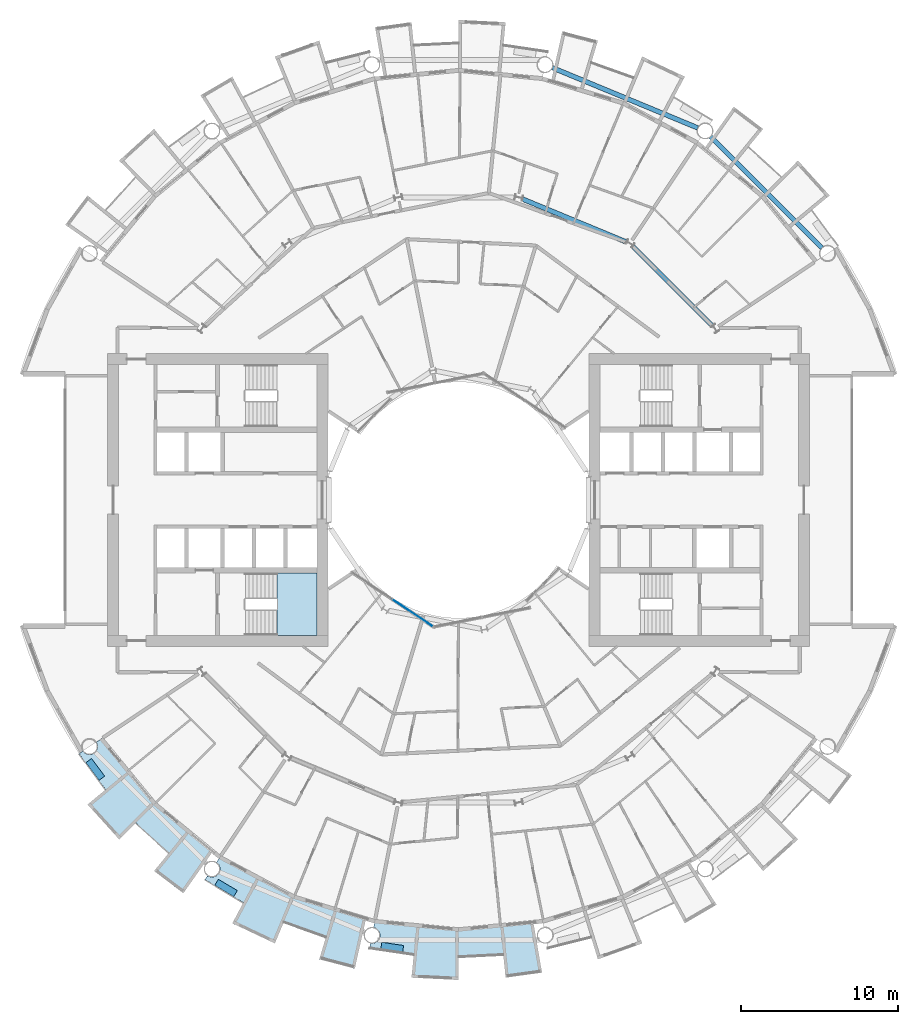
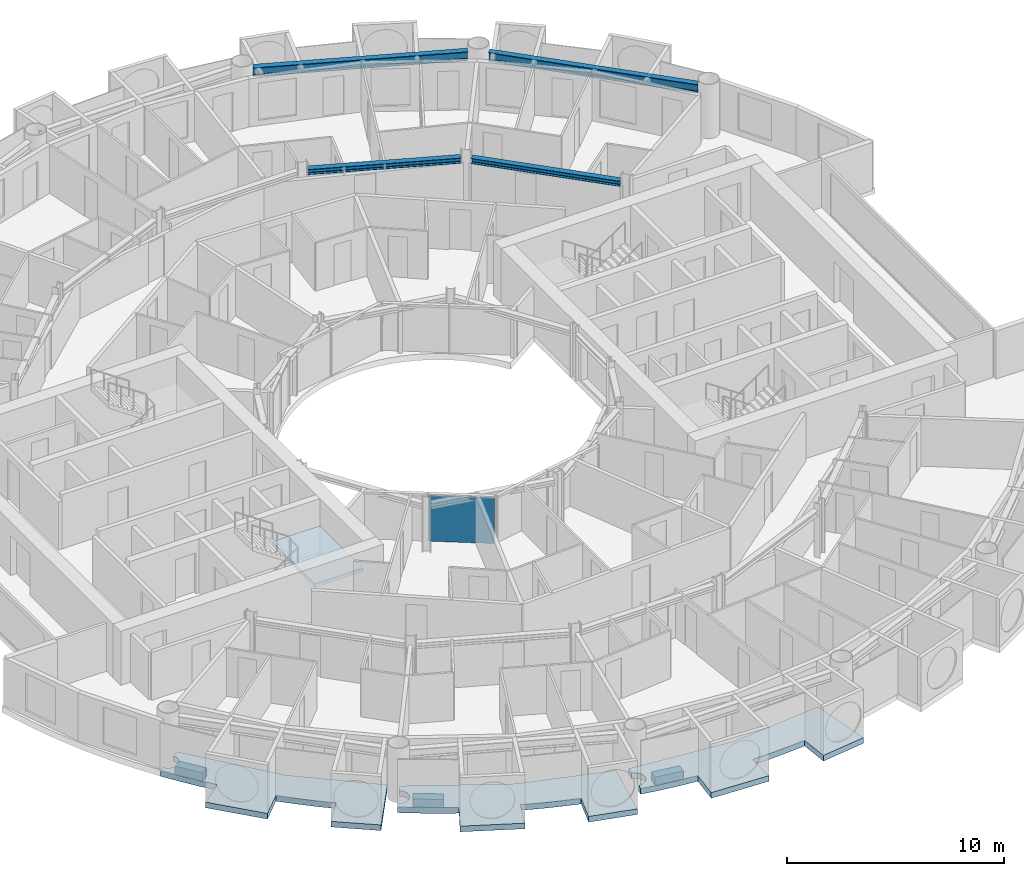
# One storey, part 9 of 26: 7 slabs, 4 beams, 1 plate, 2 elements without a shape of their own.
"""IFC4 building model written with IfcOpenShell, lengths in metres."""

from ifc_helpers import new_model, si_unit, direction, frame, origin, origin_2d, place, context, subcontext, project, spatial, polyline, rectangle, i_section, outline, extrude, material, layer, layer_set, material_profile, profile_set, type_object, element, aggregate, save


model = new_model("IFC4")

# Units and contexts
model_context = context("Model", 3, precision=1e-05, world=origin(), true_north=direction((0.0, 1.0)))
body_context = subcontext(model_context, "Body", "Model", "MODEL_VIEW")
ifc_project = project(units=[si_unit("LENGTHUNIT", "METRE"), si_unit("AREAUNIT", "SQUARE_METRE"), si_unit("VOLUMEUNIT", "CUBIC_METRE"), si_unit("PLANEANGLEUNIT", "RADIAN"), si_unit("MASSUNIT", "GRAM", prefix="KILO")], contexts=[model_context])

# Site, building, storey
site_placement = place(None, origin())
site = spatial("IfcSite", under=ifc_project, at=site_placement, CompositionType="ELEMENT")
building_placement = place(site_placement, origin())
building = spatial("IfcBuilding", under=site, at=building_placement, Name="Maasbend Ring Residences", CompositionType="ELEMENT")
storey_placement = place(building_placement, frame((0.0, 0.0, 66.64990234375)))
storey = spatial("IfcBuildingStorey", under=building, at=storey_placement, Name="L18", CompositionType="ELEMENT", Elevation=66.64990234375)

# Beams
ifc_material_1 = material(Name="Steel S355J2", Category="steel")
ifc_material_profile_1 = material_profile(ifc_material_1, i_section(OverallWidth=0.300048828125, OverallDepth=0.300048828125, WebThickness=0.010986328125, FlangeThickness=0.01904296875, FilletRadius=0.027099609375, at=origin_2d()), Name="HEB 300")
ifc_profile_set_1 = profile_set([ifc_material_profile_1], Name="Steel S355J2")
beam_type_1 = type_object("IfcBeamType", Name="Corridor ring beam HEB 300", PredefinedType="BEAM", material=ifc_profile_set_1)
for number, where, z_axis, x_axis, name in (
    (1, (16.10791015625, 11.078125, 2.550048828125), (-0.707106781187, 0.707106781187, 0.0), (-0.707106781187, -0.707106781187, 0.0), "Corridor ring beam"),
    (2, (10.642333984375, 16.39892578125, 2.550048828125), (-0.923877113721, 0.382689271788, 0.0), (-0.382689271788, -0.923877113721, 0.0), "Corridor ring beam"),
):
    element("IfcBeam", number, at=place(storey_placement, frame(where, z_axis=z_axis, x_axis=x_axis)), inside=storey, type_object=beam_type_1, Name=name, PredefinedType="BEAM", context=body_context, shape_type="SweptSolid", body=[
        extrude(i_section(OverallWidth=0.300048828125, OverallDepth=0.300048828125, WebThickness=0.010986328125, FlangeThickness=0.01904296875, FilletRadius=0.027099609375, at=origin_2d()), origin(), (0.0, 0.0, 1.0), 7.11328125),
    ])
ifc_material_2 = material(Name="Steel S355J2", Category="steel")
ifc_material_profile_2 = material_profile(ifc_material_2, i_section(OverallWidth=0.300048828125, OverallDepth=0.5, WebThickness=0.014404296875, FlangeThickness=0.028076171875, FilletRadius=0.027099609375, at=origin_2d()), Name="HEB 500")
ifc_profile_set_2 = profile_set([ifc_material_profile_2], Name="Steel S355J2")
beam_type_2 = type_object("IfcBeamType", Name="Spandrel ring beam HEB 500", PredefinedType="SPANDREL", material=ifc_profile_set_2)
beam_1_placement = place(storey_placement, frame((23.088134765625, 16.0263671875, 2.4501953125), z_axis=(-0.707106781187, 0.707106781187, 0.0), x_axis=(-0.707106781187, -0.707106781187, 0.0)))
element("IfcBeam", 3, at=beam_1_placement, inside=storey, type_object=beam_type_2, Name="Spandrel ring beam", PredefinedType="SPANDREL", context=body_context, shape_type="SweptSolid", body=[
    extrude(i_section(OverallWidth=0.300048828125, OverallDepth=0.5, WebThickness=0.014404296875, FlangeThickness=0.028076171875, FilletRadius=0.027099609375, at=origin_2d()), origin(), (0.0, 0.0, 1.0), 9.98681640625),
])
beam_2_placement = place(storey_placement, frame((15.19775390625, 23.641845703125, 2.4501953125), z_axis=(-0.923886337442, 0.382667003395, 0.0), x_axis=(-0.382667003395, -0.923886337442, 0.0)))
element("IfcBeam", 4, at=beam_2_placement, inside=storey, type_object=beam_type_2, Name="Spandrel ring beam", PredefinedType="SPANDREL", context=body_context, shape_type="SweptSolid", body=[
    extrude(i_section(OverallWidth=0.300048828125, OverallDepth=0.5, WebThickness=0.014404296875, FlangeThickness=0.028076171875, FilletRadius=0.027099609375, at=origin_2d()), origin(), (0.0, 0.0, 1.0), 9.9873046875),
])

# Stair, slab
ifc_material_3 = material(Name="Concrete C40/50", Category="concrete")
stair_type = type_object("IfcStairType", Name="CORE STAIR 18 RISERS", PredefinedType="HALF_TURN_STAIR", material=ifc_material_3)
stair_placement = place(storey_placement, origin())
stair = element("IfcStair", 5, at=stair_placement, inside=storey, type_object=stair_type, Name="L18 Exit stair ST-W1", PredefinedType="HALF_TURN_STAIR")
ifc_material_4 = material(Name="Concrete C40/50", Category="concrete")
ifc_layer_1 = layer(ifc_material_4, 0.199951171875)
ifc_layer_set_1 = layer_set([ifc_layer_1], Name="Concrete C40/50")
slab_type_1 = type_object("IfcSlabType", Name="CORE STAIR LANDING 200", PredefinedType="LANDING", material=ifc_layer_set_1)
slab_1_placement = place(storey_placement, frame((0.0, 0.0, 1.3251953125)))
slab_1 = element("IfcSlab", 6, at=slab_1_placement, type_object=slab_type_1, Name="ST-W1 landing 1", PredefinedType="LANDING", context=body_context, shape_type="SweptSolid", body=[
    extrude(outline(polyline([(-11.550048828125, -8.60009765625), (-9.0, -8.60009765625), (-9.0, -4.64990234375), (-11.550048828125, -4.64990234375), (-11.550048828125, -8.60009765625)])), origin(), (0.0, 0.0, 1.0), 0.199951171875),
])
aggregate(stair, [slab_1])

# Curtain wall, plate
ifc_material_5 = material(Name="Aluminium and clear glass", Category="aluminium")
ifc_layer_2 = layer(ifc_material_5, 0.179931640625)
ifc_layer_set_2 = layer_set([ifc_layer_2], Name="CW-W")
curtain_wall_type = type_object("IfcCurtainWallType", Name="CW-W", PredefinedType="NOTDEFINED", material=ifc_layer_set_2)
curtain_wall_placement = place(storey_placement, origin())
curtain_wall = element("IfcCurtainWall", 7, at=curtain_wall_placement, inside=storey, type_object=curtain_wall_type, Name="Well curtain wall S1", PredefinedType="NOTDEFINED")
ifc_material_6 = material(Name="Glass clear laminated", Category="glass")
ifc_layer_3 = layer(ifc_material_6, 0.031982421875)
ifc_layer_set_3 = layer_set([ifc_layer_3], Name="CWP-W")
plate_type = type_object("IfcPlateType", Name="CWP-W", PredefinedType="CURTAIN_PANEL", material=ifc_layer_set_3)
plate_placement = place(storey_placement, frame((-2.922119140625, -7.17578125, 0.0), z_axis=(0.0, 0.0, 1.0), x_axis=(0.831469612303, -0.55557023302, 0.0)))
plate = element("IfcPlate", 8, at=plate_placement, type_object=plate_type, Name="Glass panel well face", PredefinedType="CURTAIN_PANEL", context=body_context, shape_type="SweptSolid", body=[
    extrude(rectangle(XDim=3.053955078125, YDim=0.031982421875, at=origin_2d()), origin(), (0.0, 0.0, 1.0), 2.580078125),
])
aggregate(curtain_wall, [plate])

# Slabs
ifc_material_7 = material(Name="Planting with climbing greenery")
ifc_layer_4 = layer(ifc_material_7, 0.449951171875)
ifc_layer_set_4 = layer_set([ifc_layer_4], Name="PLANTER-LG")
slab_type_2 = type_object("IfcSlabType", Name="PLANTER-LG", PredefinedType="USERDEFINED", material=ifc_layer_set_4)
slab_2_placement = place(storey_placement, frame((0.0, 0.0, -0.02978515625)))
element("IfcSlab", 9, at=slab_2_placement, inside=storey, type_object=slab_type_2, Name="Planter with climbing greenery 1", ObjectType="PLANTER", PredefinedType="USERDEFINED", context=body_context, shape_type="SweptSolid", body=[
    extrude(outline(polyline([(-23.681884765625, -16.69189453125), (-22.847900390625, -17.81689453125), (-22.487060546875, -17.549072265625), (-23.321044921875, -16.424072265625), (-23.681884765625, -16.69189453125)])), origin(), (0.0, 0.0, 1.0), 0.449951171875),
])
slab_3_placement = place(storey_placement, frame((0.0, 0.0, -0.02978515625)))
element("IfcSlab", 10, at=slab_3_placement, inside=storey, type_object=slab_type_2, Name="Planter with climbing greenery 2", ObjectType="PLANTER", PredefinedType="USERDEFINED", context=body_context, shape_type="SweptSolid", body=[
    extrude(outline(polyline([(-15.490966796875, -24.48388671875), (-14.291015625, -25.2041015625), (-14.05908203125, -24.818115234375), (-15.260009765625, -24.097900390625), (-15.490966796875, -24.48388671875)])), origin(), (0.0, 0.0, 1.0), 0.449951171875),
])
slab_4_placement = place(storey_placement, frame((0.0, 0.0, -0.02978515625)))
element("IfcSlab", 11, at=slab_4_placement, inside=storey, type_object=slab_type_2, Name="Planter with climbing greenery 3", ObjectType="PLANTER", PredefinedType="USERDEFINED", context=body_context, shape_type="SweptSolid", body=[
    extrude(outline(polyline([(-4.94189453125, -28.549072265625), (-3.55810546875, -28.75390625), (-3.491943359375, -28.30908203125), (-4.8759765625, -28.10400390625), (-4.94189453125, -28.549072265625)])), origin(), (0.0, 0.0, 1.0), 0.449951171875),
])
ifc_material_8 = material(Name="Concrete C40/50", Category="concrete")
ifc_layer_5 = layer(ifc_material_8, 0.199951171875)
ifc_layer_set_5 = layer_set([ifc_layer_5], Name="Concrete C40/50")
slab_type_3 = type_object("IfcSlabType", Name="SL-LOGGIA", PredefinedType="FLOOR", material=ifc_layer_set_5)
slab_5_placement = place(storey_placement, frame((0.0, 0.0, -0.349853515625)))
element("IfcSlab", 12, at=slab_5_placement, inside=storey, type_object=slab_type_3, Name="Loggia floor 1", PredefinedType="FLOOR", context=body_context, shape_type="SweptSolid", body=[
    extrude(outline(polyline([(-15.9169921875, -23.888916015625), (-15.906982421875, -23.89501953125), (-15.89599609375, -23.90087890625), (-15.884033203125, -23.906982421875), (-15.873046875, -23.912109375), (-15.862060546875, -23.9169921875), (-15.85009765625, -23.9208984375), (-15.837890625, -23.926025390625), (-15.825927734375, -23.929931640625), (-15.81494140625, -23.93408203125), (-15.802978515625, -23.93701171875), (-15.791015625, -23.93994140625), (-15.778076171875, -23.943115234375), (-15.76611328125, -23.946044921875), (-15.75390625, -23.947998046875), (-15.741943359375, -23.949951171875), (-15.72900390625, -23.951904296875), (-15.717041015625, -23.952880859375), (-15.7041015625, -23.9541015625), (-15.69189453125, -23.955078125), (-15.679931640625, -23.955078125), (-15.6669921875, -23.955078125), (-15.655029296875, -23.955078125), (-15.64208984375, -23.955078125), (-15.6298828125, -23.9541015625), (-15.616943359375, -23.952880859375), (-15.60498046875, -23.951904296875), (-15.593017578125, -23.949951171875), (-15.580078125, -23.947998046875), (-15.568115234375, -23.946044921875), (-15.555908203125, -23.943115234375), (-15.5439453125, -23.93994140625), (-15.531982421875, -23.93701171875), (-15.52001953125, -23.93408203125), (-15.508056640625, -23.929931640625), (-15.49609375, -23.926025390625), (-15.48388671875, -23.9208984375), (-15.472900390625, -23.9169921875), (-15.4609375, -23.912109375), (-15.449951171875, -23.906982421875), (-15.43896484375, -23.90087890625), (-15.427978515625, -23.89501953125), (-15.4169921875, -23.888916015625), (-15.406005859375, -23.883056640625), (-15.39501953125, -23.876953125), (-15.385009765625, -23.8701171875), (-15.375, -23.863037109375), (-15.364013671875, -23.85498046875), (-15.35498046875, -23.847900390625), (-15.344970703125, -23.840087890625), (-15.3349609375, -23.83203125), (-15.325927734375, -23.823974609375), (-15.31689453125, -23.81494140625), (-15.30810546875, -23.806884765625), (-15.299072265625, -23.798095703125), (-15.291015625, -23.7890625), (-15.281982421875, -23.779052734375), (-15.27392578125, -23.77001953125), (-15.26708984375, -23.760009765625), (-15.259033203125, -23.75), (-15.251953125, -23.739990234375), (-15.2451171875, -23.72998046875), (-15.238037109375, -23.718994140625), (-15.23095703125, -23.708984375), (-15.22509765625, -23.697998046875), (-15.218994140625, -23.68701171875), (-15.212890625, -23.676025390625), (-15.2080078125, -23.6650390625), (-15.202880859375, -23.653076171875), (-15.197998046875, -23.64208984375), (-15.193115234375, -23.6298828125), (-15.18896484375, -23.618896484375), (-15.18505859375, -23.60693359375), (-15.180908203125, -23.594970703125), (-15.177978515625, -23.5830078125), (-15.174072265625, -23.571044921875), (-15.1708984375, -23.55908203125), (-15.1689453125, -23.547119140625), (-15.1669921875, -23.533935546875), (-15.1650390625, -23.52197265625), (-15.1630859375, -23.510009765625), (-15.162109375, -23.4970703125), (-15.159912109375, -23.485107421875), (-15.159912109375, -23.471923828125), (-15.158935546875, -23.4599609375), (-15.158935546875, -23.447021484375), (-15.158935546875, -23.43505859375), (-15.159912109375, -23.422119140625), (-15.159912109375, -23.409912109375), (-15.162109375, -23.39794921875), (-15.1630859375, -23.385009765625), (-15.1650390625, -23.373046875), (-15.1669921875, -23.361083984375), (-15.1689453125, -23.347900390625), (-15.1708984375, -23.3359375), (-15.174072265625, -23.323974609375), (-15.177978515625, -23.31201171875), (-15.180908203125, -23.300048828125), (-15.18505859375, -23.2880859375), (-15.18896484375, -23.27587890625), (-15.193115234375, -23.264892578125), (-15.197998046875, -23.2529296875), (-15.202880859375, -23.241943359375), (-15.2080078125, -23.22998046875), (-15.212890625, -23.218994140625), (-15.218994140625, -23.2080078125), (-15.22509765625, -23.197021484375), (-15.23095703125, -23.18603515625), (-15.238037109375, -23.176025390625), (-15.2451171875, -23.1650390625), (-15.251953125, -23.155029296875), (-15.259033203125, -23.14501953125), (-15.26708984375, -23.135009765625), (-15.27392578125, -23.125), (-15.281982421875, -23.115966796875), (-15.291015625, -23.10595703125), (-15.299072265625, -23.096923828125), (-15.30810546875, -23.087890625), (-15.31689453125, -23.0791015625), (-15.325927734375, -23.071044921875), (-15.3349609375, -23.06298828125), (-15.344970703125, -23.054931640625), (-15.35498046875, -23.047119140625), (-15.364013671875, -23.0390625), (-15.375, -23.031982421875), (-15.385009765625, -23.02490234375), (-15.1669921875, -22.698974609375), (-15.1669921875, -22.698974609375), (-15.1669921875, -22.698974609375), (-12.806884765625, -23.9609375), (-10.447021484375, -25.221923828125), (-10.447021484375, -25.221923828125), (-10.447021484375, -25.221923828125), (-7.886962890625, -25.9990234375), (-5.89111328125, -26.60400390625), (-5.89111328125, -26.60400390625), (-5.89111328125, -26.60400390625), (-6.593994140625, -29.779052734375), (-6.593994140625, -29.779052734375), (-6.593994140625, -29.779052734375), (-8.85400390625, -29.18701171875), (-8.85400390625, -29.18701171875), (-8.85400390625, -29.18701171875), (-8.41796875, -27.751953125), (-8.41796875, -27.751953125), (-8.41796875, -27.751953125), (-8.41796875, -27.751953125), (-8.41796875, -27.751953125), (-8.41796875, -27.751953125), (-8.41796875, -27.7509765625), (-8.41796875, -27.7509765625), (-8.41796875, -27.7509765625), (-8.41796875, -27.7509765625), (-8.41796875, -27.7509765625), (-8.4189453125, -27.7509765625), (-8.4189453125, -27.7509765625), (-8.4189453125, -27.7509765625), (-8.4189453125, -27.7509765625), (-8.4189453125, -27.7509765625), (-8.4189453125, -27.7509765625), (-9.322021484375, -27.4609375), (-9.322021484375, -27.4609375), (-10.215087890625, -27.14111328125), (-10.215087890625, -27.14111328125), (-11.096923828125, -26.79296875), (-11.096923828125, -26.79296875), (-11.096923828125, -26.79296875), (-11.097900390625, -26.79296875), (-11.097900390625, -26.79296875), (-11.097900390625, -26.79296875), (-11.097900390625, -26.79296875), (-11.097900390625, -26.79296875), (-11.097900390625, -26.79296875), (-11.097900390625, -26.79296875), (-11.097900390625, -26.79296875), (-11.097900390625, -26.79296875), (-11.097900390625, -26.79296875), (-11.097900390625, -26.79296875), (-11.097900390625, -26.79296875), (-11.097900390625, -26.79296875), (-11.097900390625, -26.79296875), (-11.672119140625, -28.177978515625), (-11.672119140625, -28.177978515625), (-11.672119140625, -28.177978515625), (-14.3779296875, -26.89892578125), (-14.3779296875, -26.89892578125), (-14.3779296875, -26.89892578125), (-13.6708984375, -25.575927734375), (-13.6708984375, -25.575927734375), (-13.6708984375, -25.575927734375), (-13.6708984375, -25.575927734375), (-13.6708984375, -25.575927734375), (-13.6708984375, -25.575927734375), (-13.6708984375, -25.575927734375), (-13.6708984375, -25.575927734375), (-13.6708984375, -25.575927734375), (-13.6708984375, -25.575927734375), (-13.6708984375, -25.575927734375), (-13.6708984375, -25.575927734375), (-13.6708984375, -25.575927734375), (-13.6708984375, -25.575927734375), (-13.6708984375, -25.575927734375), (-13.6708984375, -25.575927734375), (-13.6708984375, -25.574951171875), (-14.5, -25.114990234375), (-14.5, -25.114990234375), (-15.31396484375, -24.626953125), (-15.31396484375, -24.626953125), (-16.112060546875, -24.113037109375), (-16.112060546875, -24.113037109375), (-16.112060546875, -24.113037109375), (-15.948974609375, -23.8701171875), (-15.93896484375, -23.876953125), (-15.927978515625, -23.883056640625), (-15.9169921875, -23.888916015625)])), origin(), (0.0, 0.0, 1.0), 0.320068359375),
])
slab_6_placement = place(storey_placement, frame((0.0, 0.0, -0.349853515625)))
element("IfcSlab", 13, at=slab_6_placement, inside=storey, type_object=slab_type_3, Name="Loggia floor 3", PredefinedType="FLOOR", context=body_context, shape_type="SweptSolid", body=[
    extrude(outline(polyline([(-2.6630859375, -27.0380859375), (0.0, -27.300048828125), (0.0, -27.300048828125), (0.0, -27.300048828125), (2.6630859375, -27.0380859375), (4.739013671875, -26.8330078125), (4.739013671875, -26.8330078125), (4.739013671875, -26.8330078125), (5.303955078125, -30.034912109375), (5.303955078125, -30.034912109375), (5.303955078125, -30.034912109375), (2.989990234375, -30.35302734375), (2.989990234375, -30.35302734375), (2.989990234375, -30.35302734375), (2.843017578125, -28.861083984375), (2.843017578125, -28.861083984375), (2.843017578125, -28.861083984375), (2.843017578125, -28.861083984375), (2.842041015625, -28.861083984375), (2.842041015625, -28.861083984375), (2.842041015625, -28.861083984375), (2.842041015625, -28.861083984375), (2.842041015625, -28.861083984375), (2.842041015625, -28.860107421875), (2.842041015625, -28.860107421875), (2.842041015625, -28.860107421875), (2.842041015625, -28.860107421875), (2.842041015625, -28.860107421875), (2.842041015625, -28.860107421875), (2.842041015625, -28.860107421875), (2.842041015625, -28.860107421875), (1.89697265625, -28.93798828125), (1.89697265625, -28.93798828125), (0.948974609375, -28.98388671875), (0.948974609375, -28.98388671875), (0.0, -29.0), (0.0, -29.0), (0.0, -29.0), (0.0, -29.0), (0.0, -29.0), (0.0, -29.0), (0.0, -29.0), (0.0, -29.0), (0.0, -29.0), (0.0, -29.0), (0.0, -29.0), (0.0, -29.0), (0.0, -29.0), (0.0, -29.0), (0.0, -29.0), (0.0, -29.0), (0.0, -29.0), (0.0, -30.5), (0.0, -30.5), (0.0, -30.5), (-2.989990234375, -30.35302734375), (-2.989990234375, -30.35302734375), (-2.989990234375, -30.35302734375), (-2.843017578125, -28.861083984375), (-2.843017578125, -28.861083984375), (-2.843017578125, -28.861083984375), (-2.843017578125, -28.861083984375), (-2.843017578125, -28.861083984375), (-2.843017578125, -28.861083984375), (-2.843017578125, -28.861083984375), (-2.843017578125, -28.861083984375), (-2.843017578125, -28.860107421875), (-2.843017578125, -28.860107421875), (-2.843017578125, -28.860107421875), (-2.843017578125, -28.860107421875), (-2.843017578125, -28.860107421875), (-2.843017578125, -28.860107421875), (-2.843017578125, -28.860107421875), (-2.843017578125, -28.860107421875), (-2.843017578125, -28.860107421875), (-3.784912109375, -28.751953125), (-3.784912109375, -28.751953125), (-4.72412109375, -28.613037109375), (-4.72412109375, -28.613037109375), (-5.657958984375, -28.443115234375), (-5.657958984375, -28.443115234375), (-5.657958984375, -28.443115234375), (-5.60107421875, -28.156005859375), (-5.60107421875, -28.156005859375), (-5.587890625, -28.158935546875), (-5.575927734375, -28.160888671875), (-5.56396484375, -28.162109375), (-5.551025390625, -28.1640625), (-5.5390625, -28.1650390625), (-5.52587890625, -28.1650390625), (-5.513916015625, -28.166015625), (-5.501953125, -28.166015625), (-5.489013671875, -28.166015625), (-5.47705078125, -28.1650390625), (-5.464111328125, -28.1650390625), (-5.451904296875, -28.1640625), (-5.43896484375, -28.162109375), (-5.427001953125, -28.160888671875), (-5.4150390625, -28.158935546875), (-5.402099609375, -28.156005859375), (-5.389892578125, -28.154052734375), (-5.3779296875, -28.15087890625), (-5.365966796875, -28.14794921875), (-5.35400390625, -28.14404296875), (-5.342041015625, -28.139892578125), (-5.330078125, -28.135986328125), (-5.319091796875, -28.132080078125), (-5.306884765625, -28.126953125), (-5.2958984375, -28.123046875), (-5.283935546875, -28.116943359375), (-5.27294921875, -28.112060546875), (-5.261962890625, -28.10595703125), (-5.2509765625, -28.10009765625), (-5.239990234375, -28.093994140625), (-5.22998046875, -28.0869140625), (-5.218994140625, -28.080078125), (-5.208984375, -28.072998046875), (-5.198974609375, -28.06591796875), (-5.18896484375, -28.05908203125), (-5.178955078125, -28.051025390625), (-5.169921875, -28.04296875), (-5.159912109375, -28.034912109375), (-5.15087890625, -28.02587890625), (-5.14208984375, -28.01708984375), (-5.134033203125, -28.008056640625), (-5.125, -27.9990234375), (-5.116943359375, -27.989990234375), (-5.10888671875, -27.97998046875), (-5.10107421875, -27.970947265625), (-5.093017578125, -27.9609375), (-5.0859375, -27.950927734375), (-5.0791015625, -27.93994140625), (-5.072021484375, -27.929931640625), (-5.06591796875, -27.9189453125), (-5.05908203125, -27.907958984375), (-5.052978515625, -27.89794921875), (-5.048095703125, -27.886962890625), (-5.0419921875, -27.875), (-5.037109375, -27.864013671875), (-5.031982421875, -27.85302734375), (-5.028076171875, -27.841064453125), (-5.02294921875, -27.8291015625), (-5.01904296875, -27.81689453125), (-5.014892578125, -27.805908203125), (-5.011962890625, -27.7939453125), (-5.009033203125, -27.781982421875), (-5.006103515625, -27.76904296875), (-5.0029296875, -27.757080078125), (-5.0009765625, -27.7451171875), (-4.9990234375, -27.73291015625), (-4.9970703125, -27.719970703125), (-4.99609375, -27.7080078125), (-4.9951171875, -27.695068359375), (-4.993896484375, -27.68310546875), (-4.993896484375, -27.6708984375), (-4.993896484375, -27.657958984375), (-4.993896484375, -27.64599609375), (-4.993896484375, -27.633056640625), (-4.9951171875, -27.62109375), (-4.99609375, -27.60791015625), (-4.9970703125, -27.595947265625), (-4.9990234375, -27.583984375), (-5.0009765625, -27.571044921875), (-5.0029296875, -27.55908203125), (-5.006103515625, -27.547119140625), (-5.009033203125, -27.534912109375), (-5.011962890625, -27.52294921875), (-5.014892578125, -27.510986328125), (-5.01904296875, -27.4990234375), (-5.02294921875, -27.487060546875), (-5.028076171875, -27.47509765625), (-5.031982421875, -27.464111328125), (-5.037109375, -27.451904296875), (-5.0419921875, -27.44091796875), (-5.048095703125, -27.429931640625), (-5.052978515625, -27.4189453125), (-5.05908203125, -27.407958984375), (-5.06591796875, -27.39697265625), (-5.072021484375, -27.385986328125), (-5.0791015625, -27.3759765625), (-5.0859375, -27.365966796875), (-5.093017578125, -27.35498046875), (-5.10107421875, -27.345947265625), (-5.10888671875, -27.3359375), (-5.116943359375, -27.325927734375), (-5.125, -27.31689453125), (-5.134033203125, -27.30810546875), (-5.14208984375, -27.299072265625), (-5.15087890625, -27.2900390625), (-5.159912109375, -27.281982421875), (-5.169921875, -27.27294921875), (-5.178955078125, -27.264892578125), (-5.18896484375, -27.258056640625), (-5.198974609375, -27.25), (-5.208984375, -27.242919921875), (-5.218994140625, -27.236083984375), (-5.22998046875, -27.22900390625), (-5.239990234375, -27.221923828125), (-5.2509765625, -27.216064453125), (-5.261962890625, -27.2099609375), (-5.27294921875, -27.2041015625), (-5.283935546875, -27.198974609375), (-5.2958984375, -27.194091796875), (-5.306884765625, -27.18896484375), (-5.319091796875, -27.18408203125), (-5.330078125, -27.179931640625), (-5.342041015625, -27.176025390625), (-5.35400390625, -27.172119140625), (-5.365966796875, -27.1689453125), (-5.3779296875, -27.1650390625), (-5.389892578125, -27.162109375), (-5.402099609375, -27.159912109375), (-5.402099609375, -27.159912109375), (-5.325927734375, -26.77490234375), (-5.325927734375, -26.77490234375), (-5.325927734375, -26.77490234375), (-2.6630859375, -27.0380859375)])), origin(), (0.0, 0.0, 1.0), 0.320068359375),
])
slab_7_placement = place(storey_placement, frame((0.0, 0.0, -0.349853515625)))
element("IfcSlab", 14, at=slab_7_placement, inside=storey, type_object=slab_type_3, Name="Loggia floor 4", PredefinedType="FLOOR", context=body_context, shape_type="SweptSolid", body=[
    extrude(outline(polyline([(-23.85498046875, -15.969970703125), (-23.847900390625, -15.97998046875), (-23.840087890625, -15.989013671875), (-23.83203125, -15.9990234375), (-23.823974609375, -16.008056640625), (-23.81494140625, -16.01708984375), (-23.806884765625, -16.02587890625), (-23.798095703125, -16.034912109375), (-23.7890625, -16.0439453125), (-23.779052734375, -16.052001953125), (-23.77001953125, -16.06005859375), (-23.760009765625, -16.068115234375), (-23.75, -16.074951171875), (-23.739990234375, -16.08203125), (-23.72998046875, -16.089111328125), (-23.718994140625, -16.095947265625), (-23.708984375, -16.10302734375), (-23.697998046875, -16.10888671875), (-23.68701171875, -16.114990234375), (-23.676025390625, -16.12109375), (-23.6650390625, -16.1259765625), (-23.653076171875, -16.132080078125), (-23.64208984375, -16.135986328125), (-23.6298828125, -16.14111328125), (-23.618896484375, -16.14501953125), (-23.60693359375, -16.14892578125), (-23.594970703125, -16.153076171875), (-23.5830078125, -16.156982421875), (-23.571044921875, -16.159912109375), (-23.55908203125, -16.1630859375), (-23.547119140625, -16.1650390625), (-23.533935546875, -16.16796875), (-23.52197265625, -16.169921875), (-23.510009765625, -16.1708984375), (-23.4970703125, -16.173095703125), (-23.485107421875, -16.174072265625), (-23.471923828125, -16.174072265625), (-23.4599609375, -16.175048828125), (-23.447021484375, -16.175048828125), (-23.43505859375, -16.175048828125), (-23.422119140625, -16.174072265625), (-23.409912109375, -16.174072265625), (-23.39794921875, -16.173095703125), (-23.385009765625, -16.1708984375), (-23.373046875, -16.169921875), (-23.361083984375, -16.16796875), (-23.347900390625, -16.1650390625), (-23.3359375, -16.1630859375), (-23.323974609375, -16.159912109375), (-23.31201171875, -16.156982421875), (-23.300048828125, -16.153076171875), (-23.2880859375, -16.14892578125), (-23.27587890625, -16.14501953125), (-23.264892578125, -16.14111328125), (-23.2529296875, -16.135986328125), (-23.241943359375, -16.132080078125), (-23.22998046875, -16.1259765625), (-23.218994140625, -16.12109375), (-23.2080078125, -16.114990234375), (-23.197021484375, -16.10888671875), (-23.18603515625, -16.10302734375), (-23.176025390625, -16.095947265625), (-23.1650390625, -16.089111328125), (-23.155029296875, -16.08203125), (-23.14501953125, -16.074951171875), (-23.135009765625, -16.068115234375), (-23.125, -16.06005859375), (-23.115966796875, -16.052001953125), (-23.10595703125, -16.0439453125), (-23.096923828125, -16.034912109375), (-23.087890625, -16.02587890625), (-23.0791015625, -16.01708984375), (-23.071044921875, -16.008056640625), (-23.06298828125, -15.9990234375), (-23.054931640625, -15.989013671875), (-23.047119140625, -15.97998046875), (-23.0390625, -15.969970703125), (-23.031982421875, -15.9599609375), (-23.02490234375, -15.948974609375), (-23.01806640625, -15.93896484375), (-23.011962890625, -15.927978515625), (-23.0048828125, -15.9169921875), (-22.9990234375, -15.906982421875), (-22.993896484375, -15.89599609375), (-22.988037109375, -15.884033203125), (-22.98291015625, -15.873046875), (-22.97802734375, -15.862060546875), (-22.972900390625, -15.85009765625), (-22.968994140625, -15.837890625), (-22.965087890625, -15.825927734375), (-22.9609375, -15.81494140625), (-22.9580078125, -15.802978515625), (-22.955078125, -15.791015625), (-22.951904296875, -15.778076171875), (-22.948974609375, -15.76611328125), (-22.947021484375, -15.75390625), (-22.945068359375, -15.741943359375), (-22.943115234375, -15.72900390625), (-22.94189453125, -15.717041015625), (-22.94091796875, -15.7041015625), (-22.93994140625, -15.69189453125), (-22.93994140625, -15.679931640625), (-22.93896484375, -15.6669921875), (-22.93994140625, -15.655029296875), (-22.93994140625, -15.64208984375), (-22.94091796875, -15.6298828125), (-22.94189453125, -15.616943359375), (-22.943115234375, -15.60498046875), (-22.945068359375, -15.593017578125), (-22.947021484375, -15.580078125), (-22.948974609375, -15.568115234375), (-22.951904296875, -15.555908203125), (-22.955078125, -15.5439453125), (-22.9580078125, -15.531982421875), (-22.9609375, -15.52001953125), (-22.965087890625, -15.508056640625), (-22.968994140625, -15.49609375), (-22.972900390625, -15.48388671875), (-22.97802734375, -15.472900390625), (-22.98291015625, -15.4609375), (-22.988037109375, -15.449951171875), (-22.993896484375, -15.43896484375), (-22.9990234375, -15.427978515625), (-23.0048828125, -15.4169921875), (-23.011962890625, -15.406005859375), (-23.01806640625, -15.39501953125), (-23.02490234375, -15.385009765625), (-23.02490234375, -15.385009765625), (-22.698974609375, -15.1669921875), (-22.698974609375, -15.1669921875), (-22.698974609375, -15.1669921875), (-21.001953125, -17.236083984375), (-19.303955078125, -19.303955078125), (-19.303955078125, -19.303955078125), (-19.303955078125, -19.303955078125), (-17.236083984375, -21.001953125), (-15.623046875, -22.324951171875), (-15.623046875, -22.324951171875), (-15.623046875, -22.324951171875), (-17.488037109375, -24.989013671875), (-17.488037109375, -24.989013671875), (-17.488037109375, -24.989013671875), (-19.34912109375, -23.576904296875), (-19.34912109375, -23.576904296875), (-19.34912109375, -23.576904296875), (-18.39794921875, -22.41796875), (-18.39794921875, -22.41796875), (-18.39794921875, -22.41796875), (-18.39794921875, -22.41796875), (-18.39794921875, -22.41796875), (-18.39794921875, -22.4169921875), (-18.39794921875, -22.4169921875), (-18.39794921875, -22.4169921875), (-18.39794921875, -22.4169921875), (-18.39794921875, -22.4169921875), (-18.39794921875, -22.4169921875), (-18.39794921875, -22.4169921875), (-18.39794921875, -22.4169921875), (-18.39794921875, -22.4169921875), (-18.39794921875, -22.4169921875), (-18.39794921875, -22.4169921875), (-18.39794921875, -22.4169921875), (-19.12109375, -21.802978515625), (-19.12109375, -21.802978515625), (-19.823974609375, -21.166015625), (-19.823974609375, -21.166015625), (-20.506103515625, -20.506103515625), (-20.506103515625, -20.506103515625), (-20.506103515625, -20.506103515625), (-20.506103515625, -20.506103515625), (-20.506103515625, -20.506103515625), (-20.506103515625, -20.506103515625), (-20.506103515625, -20.506103515625), (-20.506103515625, -20.506103515625), (-20.506103515625, -20.506103515625), (-20.506103515625, -20.506103515625), (-20.506103515625, -20.506103515625), (-20.506103515625, -20.506103515625), (-20.506103515625, -20.506103515625), (-20.506103515625, -20.506103515625), (-20.506103515625, -20.506103515625), (-20.506103515625, -20.506103515625), (-20.506103515625, -20.506103515625), (-21.56689453125, -21.56689453125), (-21.56689453125, -21.56689453125), (-21.56689453125, -21.56689453125), (-23.576904296875, -19.34912109375), (-23.576904296875, -19.34912109375), (-23.576904296875, -19.34912109375), (-22.41796875, -18.39794921875), (-22.41796875, -18.39794921875), (-22.41796875, -18.39794921875), (-22.41796875, -18.39794921875), (-22.41796875, -18.39794921875), (-22.41796875, -18.39794921875), (-22.41796875, -18.39697265625), (-22.41796875, -18.39697265625), (-22.41796875, -18.39697265625), (-22.41796875, -18.39697265625), (-22.41796875, -18.39697265625), (-22.41796875, -18.39697265625), (-22.41796875, -18.39697265625), (-22.41796875, -18.39697265625), (-22.41796875, -18.39697265625), (-22.41796875, -18.39697265625), (-22.41796875, -18.39697265625), (-23.007080078125, -17.654052734375), (-23.007080078125, -17.654052734375), (-23.572998046875, -16.89208984375), (-23.572998046875, -16.89208984375), (-24.113037109375, -16.112060546875), (-24.113037109375, -16.112060546875), (-24.113037109375, -16.112060546875), (-23.8701171875, -15.948974609375), (-23.8701171875, -15.948974609375), (-23.863037109375, -15.9599609375), (-23.85498046875, -15.969970703125)])), origin(), (0.0, 0.0, 1.0), 0.320068359375),
])

save(model, "model.ifc")
